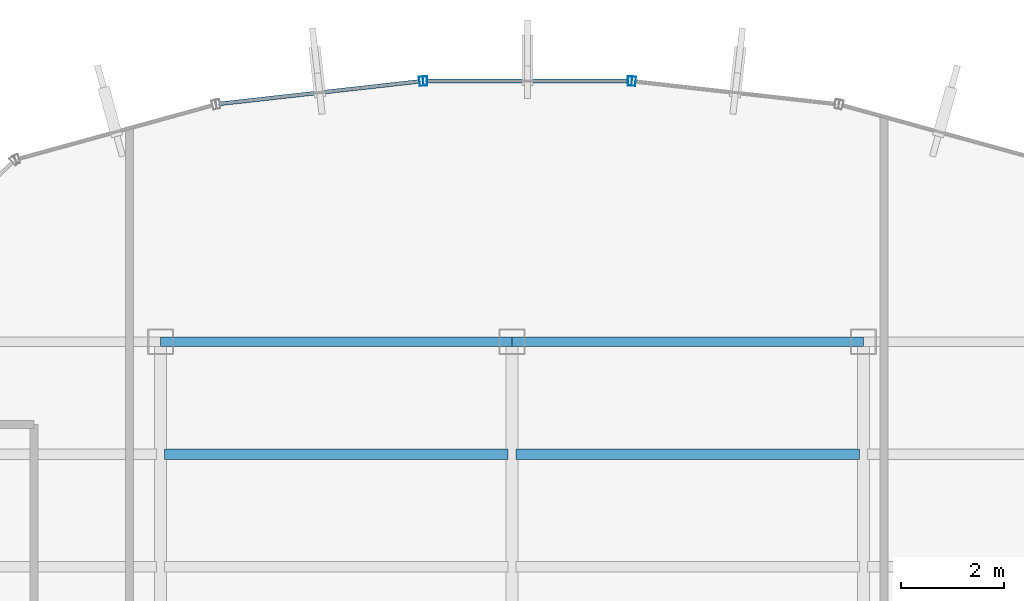
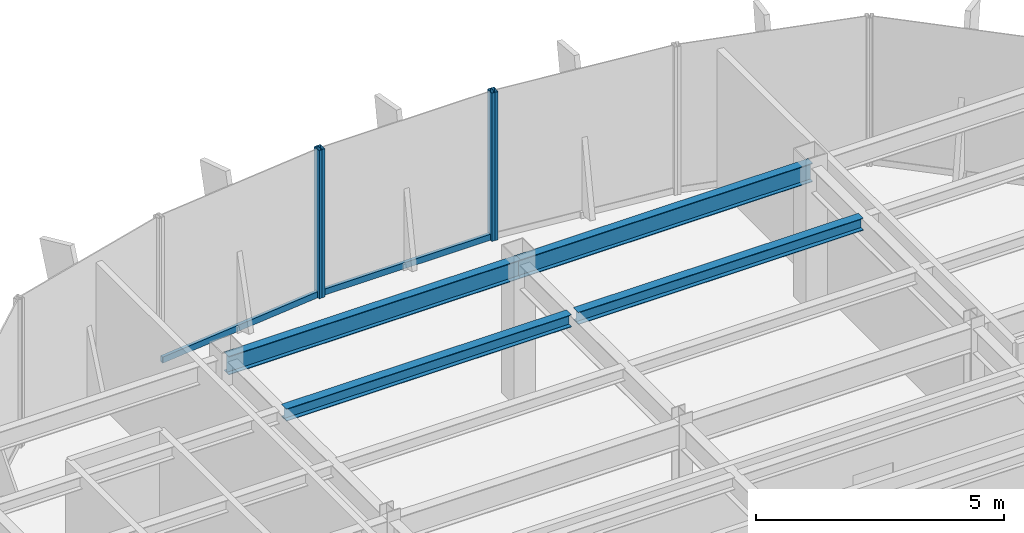
# One storey, part 13 of 22: 6 members, 4 beams, 3 elements without a shape of their own.
"""IFC4 building model written with IfcOpenShell, lengths in metres."""

from ifc_helpers import new_model, si_unit, derived_unit, direction, frame, origin, origin_2d, place, context, subcontext, project, spatial, hollow_rectangle, i_section, extrude, source, transform, mapped, material, material_profile, profile_set, type_object, element, aggregate, save


model = new_model("IFC4")

# Units and contexts
model_context = context("Model", 3, precision=1e-05, world=origin(), true_north=direction((0.0, 1.0)))
body_context = subcontext(model_context, "Body", "Model", "MODEL_VIEW")
ifc_project = project(units=[si_unit("LENGTHUNIT", "METRE"), si_unit("AREAUNIT", "SQUARE_METRE"), si_unit("VOLUMEUNIT", "CUBIC_METRE"), si_unit("PLANEANGLEUNIT", "RADIAN"), si_unit("MASSUNIT", "GRAM", prefix="KILO"), derived_unit("THERMALTRANSMITTANCEUNIT", [(si_unit("POWERUNIT", "WATT"), 1), (si_unit("LENGTHUNIT", "METRE"), -2), (si_unit("THERMODYNAMICTEMPERATUREUNIT", "KELVIN"), -1)])], contexts=[model_context])

# Site, building, storey
site_placement = place(None, origin())
site = spatial("IfcSite", under=ifc_project, at=site_placement, CompositionType="ELEMENT")
building_placement = place(site_placement, origin())
building = spatial("IfcBuilding", under=site, at=building_placement, Name="Skarnbrae Concourse Arena and Tower", CompositionType="ELEMENT")
storey_placement = place(building_placement, frame((0.0, 0.0, 244.199951171875)))
storey = spatial("IfcBuildingStorey", under=building, at=storey_placement, Name="L63", CompositionType="ELEMENT", Elevation=244.199951171875)

# Beams
ifc_material_1 = material(Name="Steel CSA G40.21 350W", Category="steel")
ifc_material_profile_1 = material_profile(ifc_material_1, i_section(OverallWidth=0.19091796875, OverallDepth=0.4599609375, WebThickness=0.010009765625, FlangeThickness=0.01611328125, at=origin_2d()), Name="W460X82")
ifc_profile_set_1 = profile_set([ifc_material_profile_1], Name="Steel CSA G40.21 350W")
beam_type_1 = type_object("IfcBeamType", Name="BM-SPAN-W460X82", PredefinedType="SPANDREL", material=ifc_profile_set_1)
shared_shape_1 = source(origin(), body_context, "Body", "SweptSolid", [
    extrude(i_section(OverallWidth=0.19091796875, OverallDepth=0.4599609375, WebThickness=0.010009765625, FlangeThickness=0.01611328125, at=origin_2d()), origin(), (0.0, 0.0, 1.0), 6.800048828125),
])
for number, where, z_axis, x_axis, name in (
    (1, (14.39990234375, 34.39990234375, 3.170166015625), (1.0, 0.0, 0.0), (0.0, 1.0, 0.0), "L63 Perimeter spandrel Y34.4-2"),
    (2, (21.199951171875, 34.39990234375, 3.170166015625), (1.0, 0.0, 0.0), (0.0, 1.0, 0.0), "L63 Perimeter spandrel Y34.4-3"),
):
    element("IfcBeam", number, at=place(storey_placement, frame(where, z_axis=z_axis, x_axis=x_axis)), inside=storey, type_object=beam_type_1, Name=name, PredefinedType="SPANDREL", context=body_context, shape_type="MappedRepresentation", body=[
        mapped(shared_shape_1, transform((0.0, 0.0, 0.0))),
    ])
ifc_material_profile_2 = material_profile(ifc_material_1, i_section(OverallWidth=0.202880859375, OverallDepth=0.302978515625, WebThickness=0.007568359375, FlangeThickness=0.01318359375, at=origin_2d()), Name="W310X60")
ifc_profile_set_2 = profile_set([ifc_material_profile_2], Name="Steel CSA G40.21 350W")
beam_type_2 = type_object("IfcBeamType", Name="BM-JOIST-W310X60", PredefinedType="JOIST", material=ifc_profile_set_2)
shared_shape_2 = source(origin(), body_context, "Body", "SweptSolid", [
    extrude(i_section(OverallWidth=0.202880859375, OverallDepth=0.302978515625, WebThickness=0.007568359375, FlangeThickness=0.01318359375, at=origin_2d()), origin(), (0.0, 0.0, 1.0), 6.64013671875),
])
beam_1_placement = place(storey_placement, frame((14.47998046875, 32.221923828125, 3.24853515625), z_axis=(1.0, 0.0, 0.0), x_axis=(0.0, 1.0, 0.0)))
element("IfcBeam", 3, at=beam_1_placement, inside=storey, type_object=beam_type_2, Name="L63 Secondary floor joist 3.2.2", PredefinedType="JOIST", context=body_context, shape_type="MappedRepresentation", body=[
    mapped(shared_shape_2, transform((0.0, 0.0, 0.0))),
])
shared_shape_3 = source(origin(), body_context, "Body", "SweptSolid", [
    extrude(i_section(OverallWidth=0.202880859375, OverallDepth=0.302978515625, WebThickness=0.007568359375, FlangeThickness=0.01318359375, at=origin_2d()), origin(), (0.0, 0.0, 1.0), 6.639892578125),
])
beam_2_placement = place(storey_placement, frame((21.280029296875, 32.221923828125, 3.24853515625), z_axis=(1.0, 0.0, 0.0), x_axis=(0.0, 1.0, 0.0)))
element("IfcBeam", 4, at=beam_2_placement, inside=storey, type_object=beam_type_2, Name="L63 Secondary floor joist 3.2.3", PredefinedType="JOIST", context=body_context, shape_type="MappedRepresentation", body=[
    mapped(shared_shape_3, transform((0.0, 0.0, 0.0))),
])

# Curtain wall, member
ifc_material_2 = material(Name="Bronze anodised aluminium 6063-T6", Category="aluminium")
curtain_wall_type = type_object("IfcCurtainWallType", Name="CW-SYS-05-HIGHZONE", PredefinedType="USERDEFINED", material=ifc_material_2)
curtain_wall_1_placement = place(storey_placement, origin())
curtain_wall_1 = element("IfcCurtainWall", 5, at=curtain_wall_1_placement, inside=storey, type_object=curtain_wall_type, Name="L63 Unitised curtain wall CW-L63-E12", ObjectType="UNITISED CURTAIN WALL", PredefinedType="USERDEFINED")
ifc_material_profile_3 = material_profile(ifc_material_2, hollow_rectangle(XDim=0.074951171875, YDim=0.14990234375, WallThickness=0.00390625, at=origin_2d()), Name="ALU-TRAN-75X150")
ifc_profile_set_3 = profile_set([ifc_material_profile_3], Name="Bronze anodised aluminium 6063-T6")
member_type_1 = type_object("IfcMemberType", Name="CWT-CW-05", PredefinedType="USERDEFINED", material=ifc_profile_set_3)
shared_shape_4 = source(origin(), body_context, "Body", "SweptSolid", [
    extrude(hollow_rectangle(XDim=0.074951171875, YDim=0.14990234375, WallThickness=0.00390625, at=origin_2d()), origin(), (0.0, 0.0, 1.0), 3.8837890625),
])
member_1_placement = place(storey_placement, frame((19.408203125, 39.438232421875, 0.074951171875), z_axis=(-0.993776714154, -0.111390495128, 0.0), x_axis=(0.111390495128, -0.993776714154, 0.0)))
member_1 = element("IfcMember", 6, at=member_1_placement, type_object=member_type_1, Name="CW-L63-E12 Transom 1", ObjectType="TRANSOM", PredefinedType="USERDEFINED", context=body_context, shape_type="MappedRepresentation", body=[
    mapped(shared_shape_4, transform((0.0, 0.0, 0.0))),
])

curtain_wall_2_placement = place(storey_placement, origin())
curtain_wall_2 = element("IfcCurtainWall", 7, at=curtain_wall_2_placement, inside=storey, type_object=curtain_wall_type, Name="L63 Unitised curtain wall CW-L63-E11", ObjectType="UNITISED CURTAIN WALL", PredefinedType="USERDEFINED")
shared_shape_5 = source(origin(), body_context, "Body", "SweptSolid", [
    extrude(hollow_rectangle(XDim=0.074951171875, YDim=0.14990234375, WallThickness=0.00390625, at=origin_2d()), origin(), (0.0, 0.0, 1.0), 3.88427734375),
])
member_2_placement = place(storey_placement, frame((23.442138671875, 39.44677734375, 0.074951171875), z_axis=(-1.0, 0.0, 0.0), x_axis=(0.0, -1.0, 0.0)))
member_2 = element("IfcMember", 8, at=member_2_placement, type_object=member_type_1, Name="CW-L63-E11 Transom 1", ObjectType="TRANSOM", PredefinedType="USERDEFINED", context=body_context, shape_type="MappedRepresentation", body=[
    mapped(shared_shape_5, transform((0.0, 0.0, 0.0))),
])

curtain_wall_3_placement = place(storey_placement, origin())
curtain_wall_3 = element("IfcCurtainWall", 9, at=curtain_wall_3_placement, inside=storey, type_object=curtain_wall_type, Name="L63 Unitised curtain wall CW-L63-E10", ObjectType="UNITISED CURTAIN WALL", PredefinedType="USERDEFINED")
ifc_material_profile_4 = material_profile(ifc_material_2, hollow_rectangle(XDim=0.074951171875, YDim=0.179931640625, WallThickness=0.00390625, at=origin_2d()), Name="ALU-MULL-75X180")
ifc_profile_set_4 = profile_set([ifc_material_profile_4], Name="Bronze anodised aluminium 6063-T6")
member_type_2 = type_object("IfcMemberType", Name="CWM-CW-05", PredefinedType="MULLION", material=ifc_profile_set_4)
shared_shape_6 = source(origin(), body_context, "Body", "SweptSolid", [
    extrude(hollow_rectangle(XDim=0.074951171875, YDim=0.179931640625, WallThickness=0.00390625, at=origin_2d()), origin(), (0.0, 0.0, 1.0), 3.650146484375),
])
member_3_placement = place(storey_placement, frame((23.554443359375, 39.4423828125, 0.0), z_axis=(0.0, 0.0, 1.0), x_axis=(-0.993768891873, 0.111460259941, 0.0)))
member_3 = element("IfcMember", 10, at=member_3_placement, type_object=member_type_2, Name="CW-L63-E10 Mullion 2", PredefinedType="MULLION", context=body_context, shape_type="MappedRepresentation", body=[
    mapped(shared_shape_6, transform((0.0, 0.0, 0.0))),
])
aggregate(curtain_wall_3, [member_3])

# Member
member_4_placement = place(storey_placement, frame((23.479736328125, 39.44677734375, 0.0), z_axis=(0.0, 0.0, 1.0), x_axis=(-1.0, 0.0, 0.0)))
member_4 = element("IfcMember", 11, at=member_4_placement, type_object=member_type_2, Name="CW-L63-E11 Mullion 1", PredefinedType="MULLION", context=body_context, shape_type="MappedRepresentation", body=[
    mapped(shared_shape_6, transform((0.0, 0.0, 0.0))),
])

member_5_placement = place(storey_placement, frame((19.520263671875, 39.44677734375, 0.0), z_axis=(0.0, 0.0, 1.0), x_axis=(-1.0, 0.0, 0.0)))
member_5 = element("IfcMember", 12, at=member_5_placement, type_object=member_type_2, Name="CW-L63-E11 Mullion 2", PredefinedType="MULLION", context=body_context, shape_type="MappedRepresentation", body=[
    mapped(shared_shape_6, transform((0.0, 0.0, 0.0))),
])

aggregate(curtain_wall_2, [member_4, member_5, member_2])

member_6_placement = place(storey_placement, frame((19.445556640625, 39.4423828125, 0.0), z_axis=(0.0, 0.0, 1.0), x_axis=(-0.993768891873, -0.111460259941, 0.0)))
member_6 = element("IfcMember", 13, at=member_6_placement, type_object=member_type_2, Name="CW-L63-E12 Mullion 1", PredefinedType="MULLION", context=body_context, shape_type="MappedRepresentation", body=[
    mapped(shared_shape_6, transform((0.0, 0.0, 0.0))),
])

aggregate(curtain_wall_1, [member_6, member_1])

save(model, "model.ifc")
